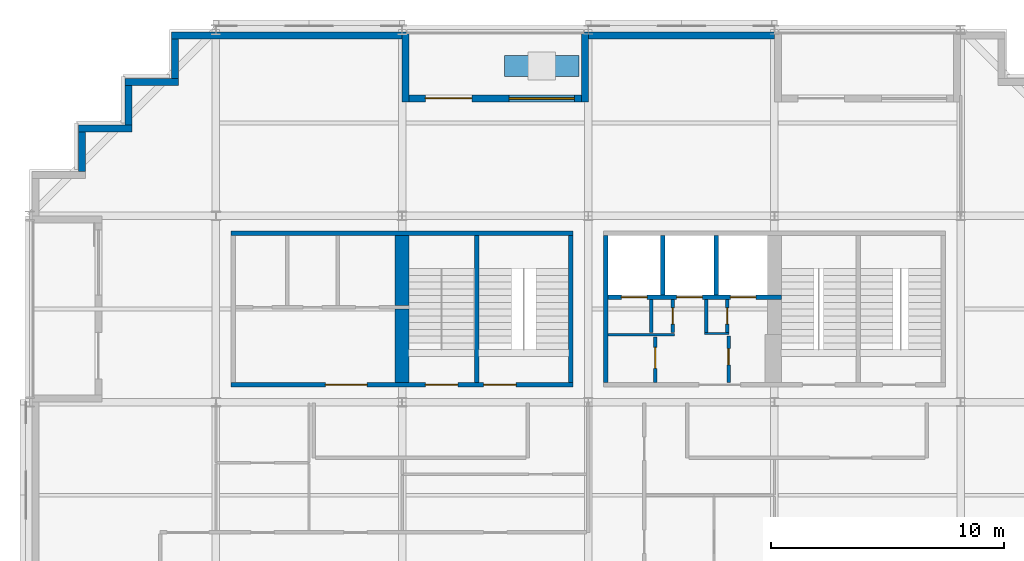
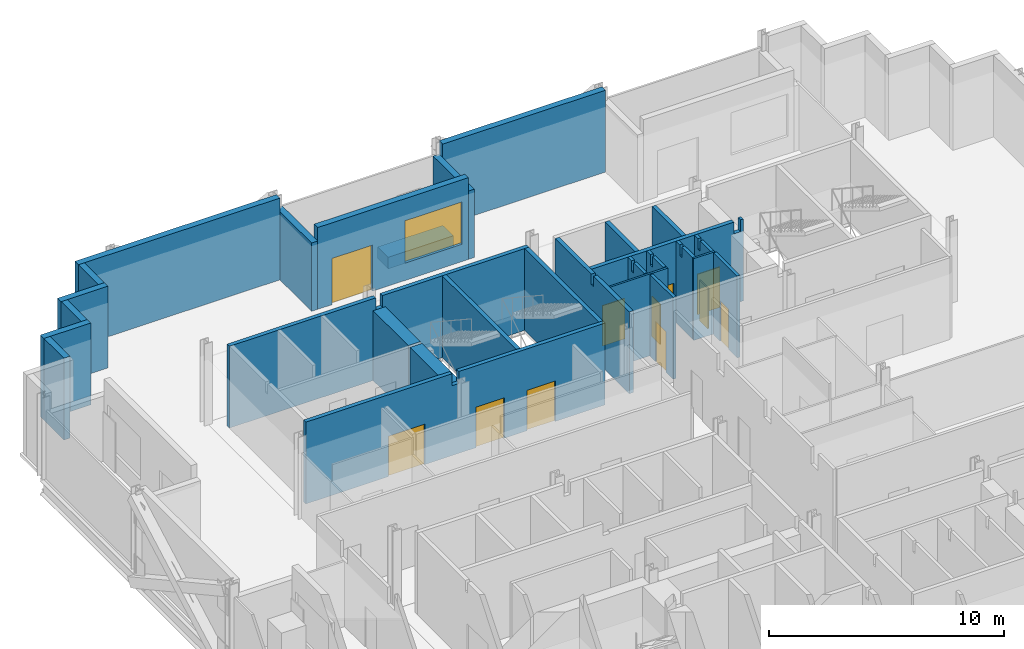
# One storey, part 9 of 14: 29 walls, 11 doors, 1 window, 12 openings.
"""IFC4 building model written with IfcOpenShell, lengths in metres."""

from ifc_helpers import new_model, si_unit, direction, frame, frame_2d, origin, place, context, subcontext, project, spatial, polyline, rectangle, outline, extrude, material, layer, layer_set, type_object, element, fill, save


model = new_model("IFC4")

# Units and contexts
model_context = context("Model", 3, precision=1e-05, world=origin(), true_north=direction((0.0, 1.0)))
body_context = subcontext(model_context, "Body", "Model", "MODEL_VIEW")
ifc_project = project(units=[si_unit("LENGTHUNIT", "METRE"), si_unit("AREAUNIT", "SQUARE_METRE"), si_unit("VOLUMEUNIT", "CUBIC_METRE"), si_unit("PLANEANGLEUNIT", "RADIAN"), si_unit("MASSUNIT", "GRAM", prefix="KILO")], contexts=[model_context])

# Site, building, storey
site_placement = place(None, origin())
site = spatial("IfcSite", under=ifc_project, at=site_placement, CompositionType="ELEMENT")
building_placement = place(site_placement, origin())
building = spatial("IfcBuilding", under=site, at=building_placement, Name="Immortelle Media Tower", CompositionType="ELEMENT")
storey_placement = place(building_placement, frame((0.0, 0.0, 39.199951171875)))
storey = spatial("IfcBuildingStorey", under=building, at=storey_placement, Name="L05", CompositionType="ELEMENT", Elevation=39.199951171875)

# Walls
ifc_material_1 = material(Name="Fire-rated gypsum board", Category="gypsum")
ifc_layer_1 = layer(ifc_material_1, 0.02490234375)
ifc_material_2 = material(Name="Steel ASTM A653 SS Gr 50 stud frame with mineral wool", Category="steel")
ifc_layer_2 = layer(ifc_material_2, 0.050048828125)
ifc_layer_3 = layer(ifc_material_1, 0.02490234375)
ifc_layer_set_1 = layer_set([ifc_layer_1, ifc_layer_2, ifc_layer_3], Name="Steel ASTM A653 SS Gr 50 stud frame with mineral wool")
wall_type_1 = type_object("IfcWallType", Name="Core partition 100", PredefinedType="PARTITIONING", material=ifc_layer_set_1)
wall_1_placement = place(storey_placement, frame((24.85009765625, 34.89990234375, 0.0), z_axis=(0.0, 0.0, 1.0), x_axis=(1.0, 0.0, 0.0)))
element("IfcWall", 1, at=wall_1_placement, inside=storey, type_object=wall_type_1, Name="Core partition NE", PredefinedType="PARTITIONING", context=body_context, shape_type="SweptSolid", body=[
    extrude(rectangle(XDim=2.849853515625, YDim=0.10009765625, at=frame_2d((1.4248046875, 0.0))), origin(), (0.0, 0.0, 1.0), 4.25),
])
wall_2_placement = place(storey_placement, frame((29.0, 34.949951171875, 0.0), z_axis=(0.0, 0.0, 1.0), x_axis=(1.0, 0.0, 0.0)))
element("IfcWall", 2, at=wall_2_placement, inside=storey, type_object=wall_type_1, Name="Core partition NE", PredefinedType="PARTITIONING", context=body_context, shape_type="SweptSolid", body=[
    extrude(rectangle(XDim=1.050048828125, YDim=0.10009765625, at=frame_2d((0.52490234375, 0.0))), origin(), (0.0, 0.0, 1.0), 4.25),
])
ifc_layer_4 = layer(ifc_material_1, 0.02490234375)
ifc_layer_5 = layer(ifc_material_2, 0.10009765625)
ifc_layer_6 = layer(ifc_material_1, 0.02490234375)
ifc_layer_set_2 = layer_set([ifc_layer_4, ifc_layer_5, ifc_layer_6], Name="Steel ASTM A653 SS Gr 50 stud frame with mineral wool")
wall_type_2 = type_object("IfcWallType", Name="Core partition 150", PredefinedType="PARTITIONING", material=ifc_layer_set_2)
wall_3_placement = place(storey_placement, frame((26.699951171875, 35.0, 0.0), z_axis=(0.0, 0.0, 1.0), x_axis=(0.0, 1.0, 0.0)))
element("IfcWall", 3, at=wall_3_placement, inside=storey, type_object=wall_type_2, Name="Core partition NE", PredefinedType="PARTITIONING", context=body_context, shape_type="SweptSolid", body=[
    extrude(outline(polyline([(0.0, 0.0), (1.39990234375, 0.0), (1.39990234375, 4.25), (1.08837890625, 4.25), (1.08740234375, 3.7080078125), (0.91259765625, 3.7080078125), (0.91162109375, 4.25), (0.0, 4.25), (0.0, 0.0)])), frame((0.0, 0.074951171875, 0.0), z_axis=(0.0, -1.0, 0.0), x_axis=(1.0, 0.0, 0.0)), (0.0, 0.0, 1.0), 0.14990234375),
])

# Wall, opening, door
wall_4_placement = place(storey_placement, frame((26.875, 32.85009765625, 0.0), z_axis=(0.0, 0.0, 1.0), x_axis=(0.0, 1.0, 0.0)))
wall_4 = element("IfcWall", 4, at=wall_4_placement, inside=storey, type_object=wall_type_2, Name="Core partition NE", PredefinedType="PARTITIONING", context=body_context, shape_type="SweptSolid", body=[
    extrude(rectangle(XDim=1.949951171875, YDim=0.14990234375, at=frame_2d((0.97509765625, 0.0))), origin(), (0.0, 0.0, 1.0), 4.25),
])
opening_1_placement = place(wall_4_placement, frame((0.60009765625, 0.0, 0.0)))
opening_1 = element("IfcOpeningElement", 5, at=opening_1_placement, cuts=wall_4, Name="Opening N1-K028", PredefinedType="OPENING", context=body_context, shape_type="SweptSolid", body=[
    extrude(rectangle(XDim=0.89990234375, YDim=2.10009765625, at=frame_2d((0.449951171875, 1.050048828125))), frame((0.0, 0.0849609375, 0.0), z_axis=(0.0, -1.0, 0.0), x_axis=(1.0, 0.0, 0.0)), (0.0, 0.0, 1.0), 0.169921875),
])
ifc_material_3 = material(Name="Galvanised steel door leaf and frame ASTM A653", Category="steel")
door_type_1 = type_object("IfcDoorType", Name="Service door 900 x 2100", OperationType="NOTDEFINED", PredefinedType="NOTDEFINED", material=ifc_material_3)
door_1_placement = place(opening_1_placement, origin())
door_1 = element("IfcDoor", 6, at=door_1_placement, inside=storey, type_object=door_type_1, Name="Service N1-K028", OperationType="SINGLE_SWING_LEFT", OverallHeight=2.10009765625, OverallWidth=0.89990234375, PredefinedType="NOTDEFINED", context=body_context, shape_type="SweptSolid", body=[
    extrude(rectangle(XDim=0.89990234375, YDim=2.10009765625, at=frame_2d((0.449951171875, 1.050048828125))), frame((0.0, 0.02490234375, 0.0), z_axis=(0.0, -1.0, 0.0), x_axis=(1.0, 0.0, 0.0)), (0.0, 0.0, 1.0), 0.050048828125),
])
fill(opening_1, door_1)

wall_5_placement = place(storey_placement, frame((27.625, 35.0, 0.0), z_axis=(0.0, 0.0, 1.0), x_axis=(0.0, 1.0, 0.0)))
wall_5 = element("IfcWall", 7, at=wall_5_placement, inside=storey, type_object=wall_type_2, Name="Core partition NE", PredefinedType="PARTITIONING", context=body_context, shape_type="SweptSolid", body=[
    extrude(outline(polyline([(0.0, 0.0), (1.39990234375, 0.0), (1.39990234375, 4.25), (1.08837890625, 4.25), (1.08740234375, 3.7080078125), (0.91259765625, 3.7080078125), (0.91162109375, 4.25), (0.0, 4.25), (0.0, 0.0)])), frame((0.0, 0.074951171875, 0.0), z_axis=(0.0, -1.0, 0.0), x_axis=(1.0, 0.0, 0.0)), (0.0, 0.0, 1.0), 0.14990234375),
])
opening_2_placement = place(wall_5_placement, frame((0.35009765625, 0.0, 0.0)))
opening_2 = element("IfcOpeningElement", 8, at=opening_2_placement, cuts=wall_5, Name="Opening N1-K047", PredefinedType="OPENING", context=body_context, shape_type="SweptSolid", body=[
    extrude(rectangle(XDim=0.699951171875, YDim=2.10009765625, at=frame_2d((0.35009765625, 1.050048828125))), frame((0.0, 0.0849609375, 0.0), z_axis=(0.0, -1.0, 0.0), x_axis=(1.0, 0.0, 0.0)), (0.0, 0.0, 1.0), 0.169921875),
])
door_type_2 = type_object("IfcDoorType", Name="Service door 700 x 2100", OperationType="NOTDEFINED", PredefinedType="NOTDEFINED", material=ifc_material_3)
door_2_placement = place(opening_2_placement, origin())
door_2 = element("IfcDoor", 9, at=door_2_placement, inside=storey, type_object=door_type_2, Name="Service N1-K047", OperationType="SINGLE_SWING_LEFT", OverallHeight=2.10009765625, OverallWidth=0.699951171875, PredefinedType="NOTDEFINED", context=body_context, shape_type="SweptSolid", body=[
    extrude(rectangle(XDim=0.699951171875, YDim=2.10009765625, at=frame_2d((0.35009765625, 1.050048828125))), frame((0.0, 0.02490234375, 0.0), z_axis=(0.0, -1.0, 0.0), x_axis=(1.0, 0.0, 0.0)), (0.0, 0.0, 1.0), 0.050048828125),
])
fill(opening_2, door_2)

# Wall
wall_6_placement = place(storey_placement, frame((29.074951171875, 35.0, 0.0), z_axis=(0.0, 0.0, 1.0), x_axis=(0.0, 1.0, 0.0)))
element("IfcWall", 10, at=wall_6_placement, inside=storey, type_object=wall_type_2, Name="Core partition NE", PredefinedType="PARTITIONING", context=body_context, shape_type="SweptSolid", body=[
    extrude(outline(polyline([(0.0, 0.0), (1.39990234375, 0.0), (1.39990234375, 4.25), (1.08837890625, 4.25), (1.08740234375, 3.7080078125), (0.91259765625, 3.7080078125), (0.91162109375, 4.25), (0.0, 4.25), (0.0, 0.0)])), frame((0.0, 0.074951171875, 0.0), z_axis=(0.0, -1.0, 0.0), x_axis=(1.0, 0.0, 0.0)), (0.0, 0.0, 1.0), 0.14990234375),
])

# Wall, opening, door
wall_7_placement = place(storey_placement, frame((29.97509765625, 35.0, 0.0), z_axis=(0.0, 0.0, 1.0), x_axis=(0.0, 1.0, 0.0)))
wall_7 = element("IfcWall", 11, at=wall_7_placement, inside=storey, type_object=wall_type_2, Name="Core partition NE", PredefinedType="PARTITIONING", context=body_context, shape_type="SweptSolid", body=[
    extrude(outline(polyline([(0.0, 0.0), (1.39990234375, 0.0), (1.39990234375, 4.25), (1.08837890625, 4.25), (1.08740234375, 3.7080078125), (0.91259765625, 3.7080078125), (0.91162109375, 4.25), (0.0, 4.25), (0.0, 0.0)])), frame((0.0, 0.074951171875, 0.0), z_axis=(0.0, -1.0, 0.0), x_axis=(1.0, 0.0, 0.0)), (0.0, 0.0, 1.0), 0.14990234375),
])
opening_3_placement = place(wall_7_placement, frame((1.050048828125, 0.0, 0.0), z_axis=(0.0, 0.0, 1.0), x_axis=(-1.0, 0.0, 0.0)))
opening_3 = element("IfcOpeningElement", 12, at=opening_3_placement, cuts=wall_7, Name="Opening N1-K031", PredefinedType="OPENING", context=body_context, shape_type="SweptSolid", body=[
    extrude(rectangle(XDim=0.699951171875, YDim=2.10009765625, at=frame_2d((0.35009765625, 1.050048828125))), frame((0.0, 0.0849609375, 0.0), z_axis=(0.0, -1.0, 0.0), x_axis=(1.0, 0.0, 0.0)), (0.0, 0.0, 1.0), 0.169921875),
])
door_3_placement = place(opening_3_placement, origin())
door_3 = element("IfcDoor", 13, at=door_3_placement, inside=storey, type_object=door_type_2, Name="Service N1-K031", OperationType="SINGLE_SWING_RIGHT", OverallHeight=2.10009765625, OverallWidth=0.699951171875, PredefinedType="NOTDEFINED", context=body_context, shape_type="SweptSolid", body=[
    extrude(rectangle(XDim=0.699951171875, YDim=2.10009765625, at=frame_2d((0.35009765625, 1.050048828125))), frame((0.0, 0.02490234375, 0.0), z_axis=(0.0, -1.0, 0.0), x_axis=(1.0, 0.0, 0.0)), (0.0, 0.0, 1.0), 0.050048828125),
])
fill(opening_3, door_3)

wall_8_placement = place(storey_placement, frame((30.02490234375, 32.85009765625, 0.0), z_axis=(0.0, 0.0, 1.0), x_axis=(0.0, 1.0, 0.0)))
wall_8 = element("IfcWall", 14, at=wall_8_placement, inside=storey, type_object=wall_type_2, Name="Core partition NE", PredefinedType="PARTITIONING", context=body_context, shape_type="SweptSolid", body=[
    extrude(rectangle(XDim=2.0, YDim=0.14990234375, at=frame_2d((1.0, 0.0))), origin(), (0.0, 0.0, 1.0), 4.25),
])
opening_4_placement = place(wall_8_placement, frame((1.449951171875, 0.0, 0.0), z_axis=(0.0, 0.0, 1.0), x_axis=(-1.0, 0.0, 0.0)))
opening_4 = element("IfcOpeningElement", 15, at=opening_4_placement, cuts=wall_8, Name="Opening N1-K048", PredefinedType="OPENING", context=body_context, shape_type="SweptSolid", body=[
    extrude(rectangle(XDim=0.699951171875, YDim=2.10009765625, at=frame_2d((0.35009765625, 1.050048828125))), frame((0.0, 0.0849609375, 0.0), z_axis=(0.0, -1.0, 0.0), x_axis=(1.0, 0.0, 0.0)), (0.0, 0.0, 1.0), 0.169921875),
])
door_4_placement = place(opening_4_placement, origin())
door_4 = element("IfcDoor", 16, at=door_4_placement, inside=storey, type_object=door_type_2, Name="Service N1-K048", OperationType="SINGLE_SWING_RIGHT", OverallHeight=2.10009765625, OverallWidth=0.699951171875, PredefinedType="NOTDEFINED", context=body_context, shape_type="SweptSolid", body=[
    extrude(rectangle(XDim=0.699951171875, YDim=2.10009765625, at=frame_2d((0.35009765625, 1.050048828125))), frame((0.0, 0.02490234375, 0.0), z_axis=(0.0, -1.0, 0.0), x_axis=(1.0, 0.0, 0.0)), (0.0, 0.0, 1.0), 0.050048828125),
])
fill(opening_4, door_4)

# Wall
ifc_layer_7 = layer(ifc_material_1, 0.03759765625)
ifc_layer_8 = layer(ifc_material_2, 0.125)
ifc_layer_9 = layer(ifc_material_1, 0.03759765625)
ifc_layer_set_3 = layer_set([ifc_layer_7, ifc_layer_8, ifc_layer_9], Name="Steel ASTM A653 SS Gr 50 stud frame with mineral wool")
wall_type_3 = type_object("IfcWallType", Name="Core shaft wall 200", PredefinedType="PARTITIONING", material=ifc_layer_set_3)
wall_9_placement = place(storey_placement, frame((24.75, 32.85009765625, 0.0), z_axis=(0.0, 0.0, 1.0), x_axis=(0.0, 1.0, 0.0)))
element("IfcWall", 17, at=wall_9_placement, inside=storey, type_object=wall_type_3, Name="Core shaft wall NE", PredefinedType="PARTITIONING", context=body_context, shape_type="SweptSolid", body=[
    extrude(outline(polyline([(0.0, 0.0), (6.2998046875, 0.0), (6.300048828125, 4.25), (3.238525390625, 4.25), (3.237548828125, 3.7080078125), (3.0625, 3.7080078125), (3.0615234375, 4.25), (0.0, 4.25), (0.0, 0.0)])), frame((0.0, 0.10009765625, 0.0), z_axis=(0.0, -1.0, 0.0), x_axis=(1.0, 0.0, 0.0)), (0.0, 0.0, 1.0), 0.199951171875),
])

# Wall, openings, doors
wall_10_placement = place(storey_placement, frame((24.85009765625, 36.5, 0.0), z_axis=(0.0, 0.0, 1.0), x_axis=(1.0, 0.0, 0.0)))
wall_10 = element("IfcWall", 18, at=wall_10_placement, inside=storey, type_object=wall_type_3, Name="Core shaft wall NE", PredefinedType="PARTITIONING", context=body_context, shape_type="SweptSolid", body=[
    extrude(outline(polyline([(0.0, 0.0), (7.449951171875, 0.0), (7.449951171875, 4.25), (7.31689453125, 4.25), (7.31591796875, 3.632080078125), (6.98388671875, 3.632080078125), (6.98291015625, 4.25), (0.0, 4.25), (0.0, 0.0)])), frame((0.0, 0.10009765625, 0.0), z_axis=(0.0, -1.0, 0.0), x_axis=(1.0, 0.0, 0.0)), (0.0, 0.0, 1.0), 0.199951171875),
])
opening_5_placement = place(wall_10_placement, frame((0.574951171875, 0.0, 0.0)))
opening_5 = element("IfcOpeningElement", 19, at=opening_5_placement, cuts=wall_10, Name="Opening LD", PredefinedType="OPENING", context=body_context, shape_type="SweptSolid", body=[
    extrude(rectangle(XDim=1.10009765625, YDim=2.10009765625, at=frame_2d((0.550048828125, 1.050048828125))), frame((0.0, 0.10986328125, 0.0), z_axis=(0.0, -1.0, 0.0), x_axis=(1.0, 0.0, 0.0)), (0.0, 0.0, 1.0), 0.219970703125),
])
opening_6_placement = place(wall_10_placement, frame((2.949951171875, 0.0, 0.0)))
opening_6 = element("IfcOpeningElement", 20, at=opening_6_placement, cuts=wall_10, Name="Opening LD", PredefinedType="OPENING", context=body_context, shape_type="SweptSolid", body=[
    extrude(rectangle(XDim=1.10009765625, YDim=2.10009765625, at=frame_2d((0.550048828125, 1.050048828125))), frame((0.0, 0.10986328125, 0.0), z_axis=(0.0, -1.0, 0.0), x_axis=(1.0, 0.0, 0.0)), (0.0, 0.0, 1.0), 0.219970703125),
])
opening_7_placement = place(wall_10_placement, frame((5.25, 0.0, 0.0)))
opening_7 = element("IfcOpeningElement", 21, at=opening_7_placement, cuts=wall_10, Name="Opening LD", PredefinedType="OPENING", context=body_context, shape_type="SweptSolid", body=[
    extrude(rectangle(XDim=1.10009765625, YDim=2.10009765625, at=frame_2d((0.550048828125, 1.050048828125))), frame((0.0, 0.10986328125, 0.0), z_axis=(0.0, -1.0, 0.0), x_axis=(1.0, 0.0, 0.0)), (0.0, 0.0, 1.0), 0.219970703125),
])
ifc_material_4 = material(Name="Stainless steel AISI 304", Category="steel")
door_type_3 = type_object("IfcDoorType", Name="Landing door 1100 x 2100", OperationType="SLIDING_TO_LEFT", PredefinedType="NOTDEFINED", material=ifc_material_4)
door_5_placement = place(opening_5_placement, origin())
door_5 = element("IfcDoor", 22, at=door_5_placement, inside=storey, type_object=door_type_3, Name="Landing door LR1 L05", OperationType="SLIDING_TO_LEFT", OverallHeight=2.10009765625, OverallWidth=1.10009765625, PredefinedType="NOTDEFINED", context=body_context, shape_type="SweptSolid", body=[
    extrude(rectangle(XDim=1.10009765625, YDim=2.10009765625, at=frame_2d((0.550048828125, 1.050048828125))), frame((0.0, 0.02490234375, 0.0), z_axis=(0.0, -1.0, 0.0), x_axis=(1.0, 0.0, 0.0)), (0.0, 0.0, 1.0), 0.050048828125),
])
fill(opening_5, door_5)
door_6_placement = place(opening_6_placement, origin())
door_6 = element("IfcDoor", 23, at=door_6_placement, inside=storey, type_object=door_type_3, Name="Landing door LR2 L05", OperationType="SLIDING_TO_LEFT", OverallHeight=2.10009765625, OverallWidth=1.10009765625, PredefinedType="NOTDEFINED", context=body_context, shape_type="SweptSolid", body=[
    extrude(rectangle(XDim=1.10009765625, YDim=2.10009765625, at=frame_2d((0.550048828125, 1.050048828125))), frame((0.0, 0.02490234375, 0.0), z_axis=(0.0, -1.0, 0.0), x_axis=(1.0, 0.0, 0.0)), (0.0, 0.0, 1.0), 0.050048828125),
])
fill(opening_6, door_6)
door_7_placement = place(opening_7_placement, origin())
door_7 = element("IfcDoor", 24, at=door_7_placement, inside=storey, type_object=door_type_3, Name="Landing door LR3 L05", OperationType="SLIDING_TO_LEFT", OverallHeight=2.10009765625, OverallWidth=1.10009765625, PredefinedType="NOTDEFINED", context=body_context, shape_type="SweptSolid", body=[
    extrude(rectangle(XDim=1.10009765625, YDim=2.10009765625, at=frame_2d((0.550048828125, 1.050048828125))), frame((0.0, 0.02490234375, 0.0), z_axis=(0.0, -1.0, 0.0), x_axis=(1.0, 0.0, 0.0)), (0.0, 0.0, 1.0), 0.050048828125),
])
fill(opening_7, door_7)

# Walls
for number, where, z_axis, x_axis, name in (
    (25, (27.199951171875, 36.60009765625, 0.0), (0.0, 0.0, 1.0), (0.0, 1.0, 0.0), "Core shaft wall NE"),
    (26, (29.5, 36.60009765625, 0.0), (0.0, 0.0, 1.0), (0.0, 1.0, 0.0), "Core shaft wall NE"),
):
    element("IfcWall", number, at=place(storey_placement, frame(where, z_axis=z_axis, x_axis=x_axis)), inside=storey, type_object=wall_type_3, Name=name, PredefinedType="PARTITIONING", context=body_context, shape_type="SweptSolid", body=[
        extrude(rectangle(XDim=2.5498046875, YDim=0.199951171875, at=frame_2d((1.27490234375, 0.0))), origin(), (0.0, 0.0, 1.0), 4.25),
    ])
ifc_material_5 = material(Name="Pale aluminium cladding panel", Category="aluminium")
ifc_layer_10 = layer(ifc_material_5, 0.030029296875)
ifc_layer_11 = layer(ifc_material_2, 0.257568359375)
ifc_material_6 = material(Name="Moisture-resistant gypsum board", Category="gypsum")
ifc_layer_12 = layer(ifc_material_6, 0.012451171875)
ifc_layer_set_4 = layer_set([ifc_layer_10, ifc_layer_11, ifc_layer_12], Name="Steel ASTM A653 SS Gr 50 stud frame with mineral wool")
wall_type_4 = type_object("IfcWallType", Name="Facade wall 300", PredefinedType="SOLIDWALL", material=ifc_layer_set_4)
wall_11_placement = place(storey_placement, frame((32.0, 47.75, 0.0), z_axis=(0.0, 0.0, 1.0), x_axis=(-1.0, 0.0, 0.0)))
element("IfcWall", 27, at=wall_11_placement, inside=storey, type_object=wall_type_4, Name="Facade wall L05 N21", PredefinedType="SOLIDWALL", context=body_context, shape_type="SweptSolid", body=[
    extrude(rectangle(XDim=8.0, YDim=0.300048828125, at=frame_2d((4.0, 0.0))), origin(), (0.0, 0.0, 1.0), 4.25),
])

# Wall, openings, door, window
wall_12_placement = place(storey_placement, frame((23.699951171875, 45.050048828125, 0.0), z_axis=(0.0, 0.0, 1.0), x_axis=(-1.0, 0.0, 0.0)))
wall_12 = element("IfcWall", 28, at=wall_12_placement, inside=storey, type_object=wall_type_4, Name="Loggia wall L05 N21", PredefinedType="SOLIDWALL", context=body_context, shape_type="SweptSolid", body=[
    extrude(rectangle(XDim=7.39990234375, YDim=0.300048828125, at=frame_2d((3.699951171875, 0.0))), origin(), (0.0, 0.0, 1.0), 4.25),
])
opening_8_placement = place(wall_12_placement, frame((0.300048828125, 0.0, 0.89990234375)))
opening_8 = element("IfcOpeningElement", 29, at=opening_8_placement, cuts=wall_12, Name="Opening W1", PredefinedType="OPENING", context=body_context, shape_type="SweptSolid", body=[
    extrude(rectangle(XDim=2.800048828125, YDim=2.199951171875, at=frame_2d((1.39990234375, 1.10009765625))), frame((0.0, 0.159912109375, 0.0), z_axis=(0.0, -1.0, 0.0), x_axis=(1.0, 0.0, 0.0)), (0.0, 0.0, 1.0), 0.320068359375),
])
opening_9_placement = place(wall_12_placement, frame((4.699951171875, 0.0, 0.0)))
opening_9 = element("IfcOpeningElement", 30, at=opening_9_placement, cuts=wall_12, Name="Opening N1-E008", PredefinedType="OPENING", context=body_context, shape_type="SweptSolid", body=[
    extrude(rectangle(XDim=2.0, YDim=2.39990234375, at=frame_2d((1.0, 1.199951171875))), frame((0.0, 0.159912109375, 0.0), z_axis=(0.0, -1.0, 0.0), x_axis=(1.0, 0.0, 0.0)), (0.0, 0.0, 1.0), 0.320068359375),
])
ifc_material_7 = material(Name="Aluminium frame, glazed leaves", Category="aluminium")
door_type_4 = type_object("IfcDoorType", Name="Loggia door 2000 x 2400", OperationType="DOUBLE_DOOR_SINGLE_SWING", PredefinedType="DOOR", material=ifc_material_7)
door_8_placement = place(opening_9_placement, origin())
door_8 = element("IfcDoor", 31, at=door_8_placement, inside=storey, type_object=door_type_4, Name="Door N1-E008", OperationType="DOUBLE_DOOR_SINGLE_SWING", OverallHeight=2.39990234375, OverallWidth=2.0, PredefinedType="DOOR", context=body_context, shape_type="SweptSolid", body=[
    extrude(rectangle(XDim=2.0, YDim=2.39990234375, at=frame_2d((1.0, 1.199951171875))), frame((0.0, 0.02490234375, 0.0), z_axis=(0.0, -1.0, 0.0), x_axis=(1.0, 0.0, 0.0)), (0.0, 0.0, 1.0), 0.050048828125),
])
fill(opening_9, door_8)
ifc_material_8 = material(Name="Aluminium frame", Category="aluminium")
window_type = type_object("IfcWindowType", Name="Window 2800 x 2200", PartitioningType="SINGLE_PANEL", PredefinedType="WINDOW", material=ifc_material_8)
window_placement = place(opening_8_placement, origin())
window = element("IfcWindow", 32, at=window_placement, inside=storey, type_object=window_type, Name="Window L05 L05-R21-B2", OverallHeight=2.199951171875, OverallWidth=2.800048828125, PartitioningType="SINGLE_PANEL", PredefinedType="WINDOW", context=body_context, shape_type="SweptSolid", body=[
    extrude(rectangle(XDim=2.800048828125, YDim=2.199951171875, at=frame_2d((1.39990234375, 1.10009765625))), frame((0.0, 0.030029296875, 0.0), z_axis=(0.0, -1.0, 0.0), x_axis=(1.0, 0.0, 0.0)), (0.0, 0.0, 1.0), 0.06005859375),
])
fill(opening_8, window)

# Walls
for number, where, z_axis, x_axis, name in (
    (33, (23.85009765625, 47.89990234375, 0.0), (0.0, 0.0, 1.0), (0.0, -1.0, 0.0), "Loggia cheek wall L05 N"),
    (34, (16.14990234375, 47.89990234375, 0.0), (0.0, 0.0, 1.0), (0.0, -1.0, 0.0), "Loggia cheek wall L05 N"),
):
    element("IfcWall", number, at=place(storey_placement, frame(where, z_axis=z_axis, x_axis=x_axis)), inside=storey, type_object=wall_type_4, Name=name, PredefinedType="SOLIDWALL", context=body_context, shape_type="SweptSolid", body=[
        extrude(rectangle(XDim=3.0, YDim=0.300048828125, at=frame_2d((1.5, 0.0))), origin(), (0.0, 0.0, 1.0), 3.552978515625),
    ])
wall_13_placement = place(storey_placement, frame((16.0, 47.75, 0.0), z_axis=(0.0, 0.0, 1.0), x_axis=(-1.0, 0.0, 0.0)))
element("IfcWall", 35, at=wall_13_placement, inside=storey, type_object=wall_type_4, Name="Facade wall L05 N21", PredefinedType="SOLIDWALL", context=body_context, shape_type="SweptSolid", body=[
    extrude(rectangle(XDim=9.89990234375, YDim=0.300048828125, at=frame_2d((4.949951171875, 0.0))), origin(), (0.0, 0.0, 1.0), 4.25),
])
wall_14_placement = place(storey_placement, frame((6.25, 47.60009765625, 0.0), z_axis=(0.0, 0.0, 1.0), x_axis=(0.0, -1.0, 0.0)))
element("IfcWall", 36, at=wall_14_placement, inside=storey, type_object=wall_type_4, Name="Facade wall L05 W22", PredefinedType="SOLIDWALL", context=body_context, shape_type="SweptSolid", body=[
    extrude(rectangle(XDim=1.7001953125, YDim=0.300048828125, at=frame_2d((0.85009765625, 0.0))), origin(), (0.0, 0.0, 1.0), 4.25),
])
wall_15_placement = place(storey_placement, frame((6.39990234375, 45.75, 0.0), z_axis=(0.0, 0.0, 1.0), x_axis=(-1.0, 0.0, 0.0)))
element("IfcWall", 37, at=wall_15_placement, inside=storey, type_object=wall_type_4, Name="Facade wall L05 N23", PredefinedType="SOLIDWALL", context=body_context, shape_type="SweptSolid", body=[
    extrude(rectangle(XDim=2.2998046875, YDim=0.300048828125, at=frame_2d((1.14990234375, 0.0))), origin(), (0.0, 0.0, 1.0), 4.25),
])
wall_16_placement = place(storey_placement, frame((4.25, 45.60009765625, 0.0), z_axis=(0.0, 0.0, 1.0), x_axis=(0.0, -1.0, 0.0)))
element("IfcWall", 38, at=wall_16_placement, inside=storey, type_object=wall_type_4, Name="Facade wall L05 W24", PredefinedType="SOLIDWALL", context=body_context, shape_type="SweptSolid", body=[
    extrude(rectangle(XDim=1.7001953125, YDim=0.300048828125, at=frame_2d((0.85009765625, 0.0))), origin(), (0.0, 0.0, 1.0), 4.25),
])
wall_17_placement = place(storey_placement, frame((4.39990234375, 43.75, 0.0), z_axis=(0.0, 0.0, 1.0), x_axis=(-1.0, 0.0, 0.0)))
element("IfcWall", 39, at=wall_17_placement, inside=storey, type_object=wall_type_4, Name="Facade wall L05 N25", PredefinedType="SOLIDWALL", context=body_context, shape_type="SweptSolid", body=[
    extrude(rectangle(XDim=2.2998046875, YDim=0.300048828125, at=frame_2d((1.14990234375, 0.0))), origin(), (0.0, 0.0, 1.0), 4.25),
])
wall_18_placement = place(storey_placement, frame((2.25, 43.60009765625, 0.0), z_axis=(0.0, 0.0, 1.0), x_axis=(0.0, -1.0, 0.0)))
element("IfcWall", 40, at=wall_18_placement, inside=storey, type_object=wall_type_4, Name="Facade wall L05 W26", PredefinedType="SOLIDWALL", context=body_context, shape_type="SweptSolid", body=[
    extrude(rectangle(XDim=1.7001953125, YDim=0.300048828125, at=frame_2d((0.85009765625, 0.0))), origin(), (0.0, 0.0, 1.0), 4.25),
])
ifc_layer_13 = layer(ifc_material_5, 0.0029296875)
ifc_material_9 = material(Name="Steel ASTM A572 Gr 50 planter shell", Category="steel")
ifc_layer_14 = layer(ifc_material_9, 0.011962890625)
ifc_material_10 = material(Name="Planting substrate", Category="soil")
ifc_layer_15 = layer(ifc_material_10, 0.873046875)
ifc_layer_16 = layer(ifc_material_9, 0.011962890625)
ifc_layer_set_5 = layer_set([ifc_layer_13, ifc_layer_14, ifc_layer_15, ifc_layer_16], Name="Steel ASTM A572 Gr 50 planter shell")
wall_type_5 = type_object("IfcWallType", Name="Planter wall 900", PredefinedType="SOLIDWALL", material=ifc_layer_set_5)
wall_19_placement = place(storey_placement, frame((23.60009765625, 46.449951171875, 0.0), z_axis=(0.0, 0.0, 1.0), x_axis=(-1.0, 0.0, 0.0)))
element("IfcWall", 41, at=wall_19_placement, inside=storey, type_object=wall_type_5, Name="Planter L05 N2", PredefinedType="SOLIDWALL", context=body_context, shape_type="SweptSolid", body=[
    extrude(rectangle(XDim=3.2001953125, YDim=0.89990234375, at=frame_2d((1.60009765625, 0.0))), origin(), (0.0, 0.0, 1.0), 0.60009765625),
])

# Wall, openings, doors
ifc_material_11 = material(Name="Concrete C60", Category="concrete")
ifc_layer_17 = layer(ifc_material_11, 0.199951171875)
ifc_layer_set_6 = layer_set([ifc_layer_17], Name="Concrete C60")
wall_type_6 = type_object("IfcWallType", Name="Stair shaft wall 200", PredefinedType="PARTITIONING", material=ifc_layer_set_6)
wall_20_placement = place(storey_placement, frame((8.64990234375, 32.75, 0.0), z_axis=(0.0, 0.0, 1.0), x_axis=(1.0, 0.0, 0.0)))
wall_20 = element("IfcWall", 42, at=wall_20_placement, inside=storey, type_object=wall_type_6, Name="Stair shaft wall NW", PredefinedType="PARTITIONING", context=body_context, shape_type="SweptSolid", body=[
    extrude(outline(polyline([(0.0, 0.0), (14.7001953125, 0.0), (14.699951171875, 4.25), (7.51708984375, 4.25), (7.51611328125, 3.632080078125), (7.18408203125, 3.632080078125), (7.18310546875, 4.25), (0.0, 4.25), (0.0, 0.0)])), frame((0.0, 0.10009765625, 0.0), z_axis=(0.0, -1.0, 0.0), x_axis=(1.0, 0.0, 0.0)), (0.0, 0.0, 1.0), 0.199951171875),
])
opening_10_placement = place(wall_20_placement, frame((4.050048828125, 0.0, 0.0)))
opening_10 = element("IfcOpeningElement", 43, at=opening_10_placement, cuts=wall_20, Name="Opening N1-K023", PredefinedType="OPENING", context=body_context, shape_type="SweptSolid", body=[
    extrude(rectangle(XDim=1.800048828125, YDim=2.10009765625, at=frame_2d((0.89990234375, 1.050048828125))), frame((0.0, 0.10986328125, 0.0), z_axis=(0.0, -1.0, 0.0), x_axis=(1.0, 0.0, 0.0)), (0.0, 0.0, 1.0), 0.219970703125),
])
opening_11_placement = place(wall_20_placement, frame((8.35009765625, 0.0, 0.0)))
opening_11 = element("IfcOpeningElement", 44, at=opening_11_placement, cuts=wall_20, Name="Opening N1-K025", PredefinedType="OPENING", context=body_context, shape_type="SweptSolid", body=[
    extrude(rectangle(XDim=1.39990234375, YDim=2.10009765625, at=frame_2d((0.699951171875, 1.050048828125))), frame((0.0, 0.10986328125, 0.0), z_axis=(0.0, -1.0, 0.0), x_axis=(1.0, 0.0, 0.0)), (0.0, 0.0, 1.0), 0.219970703125),
])
opening_12_placement = place(wall_20_placement, frame((10.85009765625, 0.0, 0.0)))
opening_12 = element("IfcOpeningElement", 45, at=opening_12_placement, cuts=wall_20, Name="Opening N1-K026", PredefinedType="OPENING", context=body_context, shape_type="SweptSolid", body=[
    extrude(rectangle(XDim=1.39990234375, YDim=2.10009765625, at=frame_2d((0.699951171875, 1.050048828125))), frame((0.0, 0.10986328125, 0.0), z_axis=(0.0, -1.0, 0.0), x_axis=(1.0, 0.0, 0.0)), (0.0, 0.0, 1.0), 0.219970703125),
])
door_type_5 = type_object("IfcDoorType", Name="Lift lobby door 1800 x 2100", OperationType="DOUBLE_DOOR_SINGLE_SWING", PredefinedType="NOTDEFINED", material=ifc_material_3)
door_9_placement = place(opening_10_placement, origin())
door_9 = element("IfcDoor", 46, at=door_9_placement, inside=storey, type_object=door_type_5, Name="Lift lobby N1-K023", OperationType="DOUBLE_DOOR_SINGLE_SWING", OverallHeight=2.10009765625, OverallWidth=1.800048828125, PredefinedType="NOTDEFINED", context=body_context, shape_type="SweptSolid", body=[
    extrude(rectangle(XDim=1.800048828125, YDim=2.10009765625, at=frame_2d((0.89990234375, 1.050048828125))), frame((0.0, 0.02490234375, 0.0), z_axis=(0.0, -1.0, 0.0), x_axis=(1.0, 0.0, 0.0)), (0.0, 0.0, 1.0), 0.050048828125),
])
fill(opening_10, door_9)
door_type_6 = type_object("IfcDoorType", Name="Stair door 1400 x 2100", OperationType="DOUBLE_DOOR_SINGLE_SWING", PredefinedType="NOTDEFINED", material=ifc_material_3)
door_10_placement = place(opening_11_placement, origin())
door_10 = element("IfcDoor", 47, at=door_10_placement, inside=storey, type_object=door_type_6, Name="Stair N1-K025", OperationType="DOUBLE_DOOR_SINGLE_SWING", OverallHeight=2.10009765625, OverallWidth=1.39990234375, PredefinedType="NOTDEFINED", context=body_context, shape_type="SweptSolid", body=[
    extrude(rectangle(XDim=1.39990234375, YDim=2.10009765625, at=frame_2d((0.699951171875, 1.050048828125))), frame((0.0, 0.02490234375, 0.0), z_axis=(0.0, -1.0, 0.0), x_axis=(1.0, 0.0, 0.0)), (0.0, 0.0, 1.0), 0.050048828125),
])
fill(opening_11, door_10)
door_11_placement = place(opening_12_placement, origin())
door_11 = element("IfcDoor", 48, at=door_11_placement, inside=storey, type_object=door_type_6, Name="Stair N1-K026", OperationType="DOUBLE_DOOR_SINGLE_SWING", OverallHeight=2.10009765625, OverallWidth=1.39990234375, PredefinedType="NOTDEFINED", context=body_context, shape_type="SweptSolid", body=[
    extrude(rectangle(XDim=1.39990234375, YDim=2.10009765625, at=frame_2d((0.699951171875, 1.050048828125))), frame((0.0, 0.02490234375, 0.0), z_axis=(0.0, -1.0, 0.0), x_axis=(1.0, 0.0, 0.0)), (0.0, 0.0, 1.0), 0.050048828125),
])
fill(opening_12, door_11)

# Walls
wall_21_placement = place(storey_placement, frame((8.64990234375, 39.25, 0.0), z_axis=(0.0, 0.0, 1.0), x_axis=(1.0, 0.0, 0.0)))
element("IfcWall", 49, at=wall_21_placement, inside=storey, type_object=wall_type_6, Name="Stair shaft wall NW", PredefinedType="PARTITIONING", context=body_context, shape_type="SweptSolid", body=[
    extrude(outline(polyline([(0.0, 0.0), (14.7001953125, 0.0), (14.699951171875, 4.25), (7.51708984375, 4.25), (7.51611328125, 3.632080078125), (7.18408203125, 3.632080078125), (7.18310546875, 4.25), (0.0, 4.25), (0.0, 0.0)])), frame((0.0, 0.10009765625, 0.0), z_axis=(0.0, -1.0, 0.0), x_axis=(1.0, 0.0, 0.0)), (0.0, 0.0, 1.0), 0.199951171875),
])
for number, where, z_axis, x_axis, name in (
    (50, (19.199951171875, 32.85009765625, 0.0), (0.0, 0.0, 1.0), (0.0, 1.0, 0.0), "Stair shaft wall NW"),
    (51, (23.25, 32.85009765625, 0.0), (0.0, 0.0, 1.0), (0.0, 1.0, 0.0), "Stair shaft wall NW"),
):
    element("IfcWall", number, at=place(storey_placement, frame(where, z_axis=z_axis, x_axis=x_axis)), inside=storey, type_object=wall_type_6, Name=name, PredefinedType="PARTITIONING", context=body_context, shape_type="SweptSolid", body=[
        extrude(rectangle(XDim=6.2998046875, YDim=0.199951171875, at=frame_2d((3.14990234375, 0.0))), origin(), (0.0, 0.0, 1.0), 4.25),
    ])
ifc_layer_18 = layer(ifc_material_11, 0.60009765625)
ifc_layer_set_7 = layer_set([ifc_layer_18], Name="Concrete C60")
wall_type_7 = type_object("IfcWallType", Name="Stair shaft wall 600", PredefinedType="PARTITIONING", material=ifc_layer_set_7)
wall_22_placement = place(storey_placement, frame((16.0, 32.85009765625, 0.0), z_axis=(0.0, 0.0, 1.0), x_axis=(0.0, 1.0, 0.0)))
element("IfcWall", 52, at=wall_22_placement, inside=storey, type_object=wall_type_7, Name="Stair shaft wall NW", PredefinedType="PARTITIONING", context=body_context, shape_type="SweptSolid", body=[
    extrude(rectangle(XDim=3.14990234375, YDim=0.60009765625, at=frame_2d((1.574951171875, 0.0))), origin(), (0.0, 0.0, 1.0), 3.632080078125),
])
wall_23_placement = place(storey_placement, frame((16.0, 36.14990234375, 0.0), z_axis=(0.0, 0.0, 1.0), x_axis=(0.0, 1.0, 0.0)))
element("IfcWall", 53, at=wall_23_placement, inside=storey, type_object=wall_type_7, Name="Stair shaft wall NW", PredefinedType="PARTITIONING", context=body_context, shape_type="SweptSolid", body=[
    extrude(rectangle(XDim=3.0, YDim=0.60009765625, at=frame_2d((1.5, 0.0))), origin(), (0.0, 0.0, 1.0), 3.632080078125),
])

save(model, "model.ifc")
